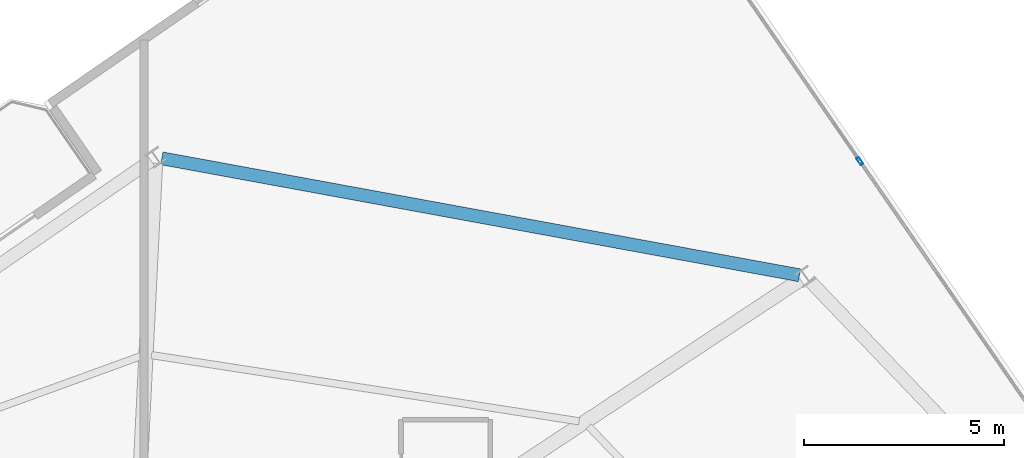
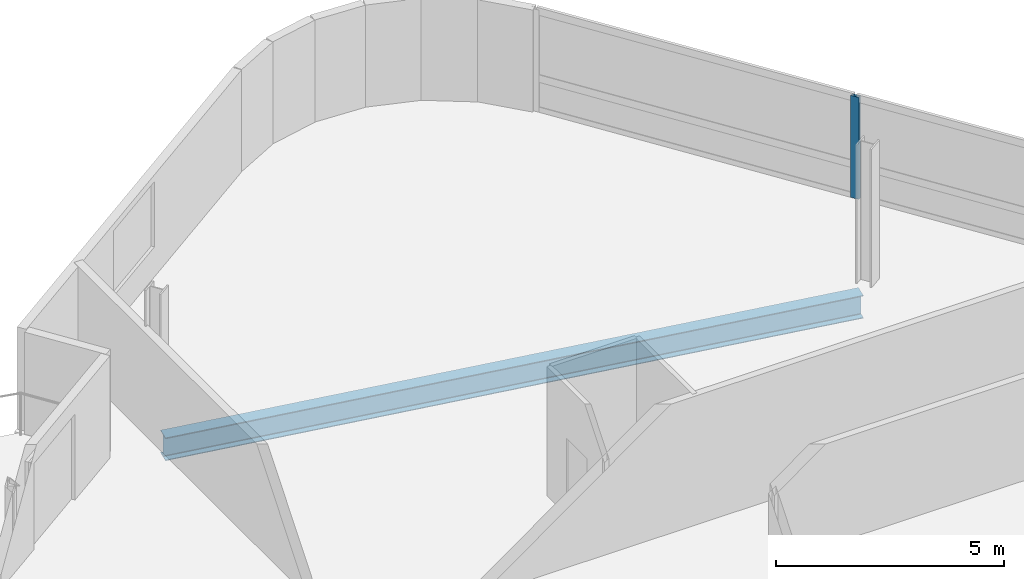
# One storey, part 9 of 21: 1 beam, 1 member, 1 element without a shape of its own.
"""IFC4 building model written with IfcOpenShell, lengths in metres."""

from ifc_helpers import new_model, si_unit, direction, frame, origin, origin_2d, place, context, subcontext, project, spatial, hollow_rectangle, i_section, extrude, material, layer, layer_set, material_profile, profile_set, type_object, element, aggregate, save


model = new_model("IFC4")

# Units and contexts
model_context = context("Model", 3, precision=1e-05, world=origin(), true_north=direction((0.0, 1.0)))
body_context = subcontext(model_context, "Body", "Model", "MODEL_VIEW")
ifc_project = project(units=[si_unit("LENGTHUNIT", "METRE"), si_unit("AREAUNIT", "SQUARE_METRE"), si_unit("VOLUMEUNIT", "CUBIC_METRE"), si_unit("PLANEANGLEUNIT", "RADIAN"), si_unit("MASSUNIT", "GRAM", prefix="KILO")], contexts=[model_context])

# Site, building, storey
site_placement = place(None, origin())
site = spatial("IfcSite", under=ifc_project, at=site_placement, CompositionType="ELEMENT")
building_placement = place(site_placement, origin())
building = spatial("IfcBuilding", under=site, at=building_placement, Name="Varnelok Gate Tower", CompositionType="ELEMENT")
storey_placement = place(building_placement, frame((0.0, 0.0, 261.89990234375)))
storey = spatial("IfcBuildingStorey", under=building, at=storey_placement, Name="L67", CompositionType="ELEMENT", Elevation=261.89990234375)

# Beam
ifc_material_1 = material(Name="Structural Steel ASTM A992 Grade 50", Category="steel")
ifc_material_profile_1 = material_profile(ifc_material_1, i_section(OverallWidth=0.323974609375, OverallDepth=0.611083984375, WebThickness=0.0126953125, FlangeThickness=0.01904296875, FilletRadius=0.01806640625, at=origin_2d()), Name="W24X104")
ifc_profile_set_1 = profile_set([ifc_material_profile_1], Name="Structural Steel ASTM A992 Grade 50")
beam_type = type_object("IfcBeamType", Name="BM-SPN-W24X104", PredefinedType="SPANDREL", material=ifc_profile_set_1)
beam_placement = place(storey_placement, frame((60.406005859375, 47.564453125, -0.555419921875), z_axis=(-0.98359926462, 0.180367642995, 0.0), x_axis=(-0.180367642995, -0.98359926462, 0.0)))
element("IfcBeam", 1, at=beam_placement, inside=storey, type_object=beam_type, Name="L67 Perimeter Spandrel Beam 8", PredefinedType="SPANDREL", context=body_context, shape_type="SweptSolid", body=[
    extrude(i_section(OverallWidth=0.323974609375, OverallDepth=0.611083984375, WebThickness=0.0126953125, FlangeThickness=0.01904296875, FilletRadius=0.01806640625, at=origin_2d()), origin(), (0.0, 0.0, 1.0), 16.23193359375),
])

# Curtain wall, member
ifc_material_2 = material(Name="Anodized Aluminum Alloy 6063-T6", Category="aluminium")
ifc_layer = layer(ifc_material_2, 0.179931640625)
ifc_layer_set = layer_set([ifc_layer], Name="Anodized Aluminum Alloy 6063-T6")
curtain_wall_type = type_object("IfcCurtainWallType", Name="CW4-RESIDENCE-VISION", PredefinedType="USERDEFINED", material=ifc_layer_set)
curtain_wall_placement = place(storey_placement, origin())
curtain_wall = element("IfcCurtainWall", 2, at=curtain_wall_placement, inside=storey, type_object=curtain_wall_type, Name="L67 East End Vision Curtain Wall", ObjectType="UNITISED CURTAIN WALL", PredefinedType="USERDEFINED")
ifc_material_profile_2 = material_profile(ifc_material_2, hollow_rectangle(XDim=0.074951171875, YDim=0.199951171875, WallThickness=0.00390625, at=origin_2d()), Name="ALU200X75X4")
ifc_profile_set_2 = profile_set([ifc_material_profile_2], Name="Anodized Aluminum Alloy 6063-T6")
member_type = type_object("IfcMemberType", Name="CW-MULL-200", PredefinedType="MULLION", material=ifc_profile_set_2)
member_placement = place(storey_placement, frame((61.9189453125, 50.420654296875, 0.0), z_axis=(0.0, 0.0, 1.0), x_axis=(0.823532290241, 0.567269395376, 0.0)))
member = element("IfcMember", 3, at=member_placement, type_object=member_type, Name="CW4 mullion 2", PredefinedType="MULLION", context=body_context, shape_type="SweptSolid", body=[
    extrude(hollow_rectangle(XDim=0.074951171875, YDim=0.199951171875, WallThickness=0.00390625, at=origin_2d()), origin(), (0.0, 0.0, 1.0), 2.72998046875),
])
aggregate(curtain_wall, [member])

save(model, "model.ifc")
